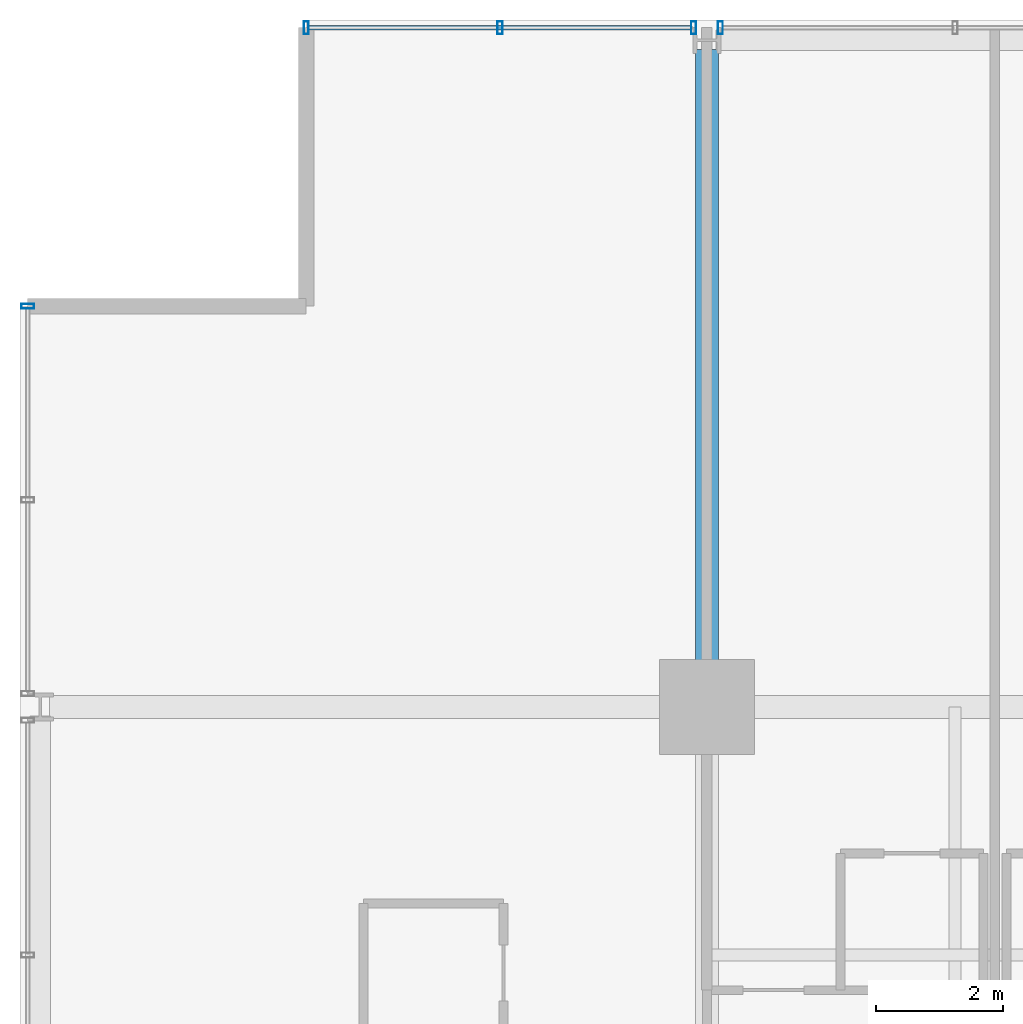
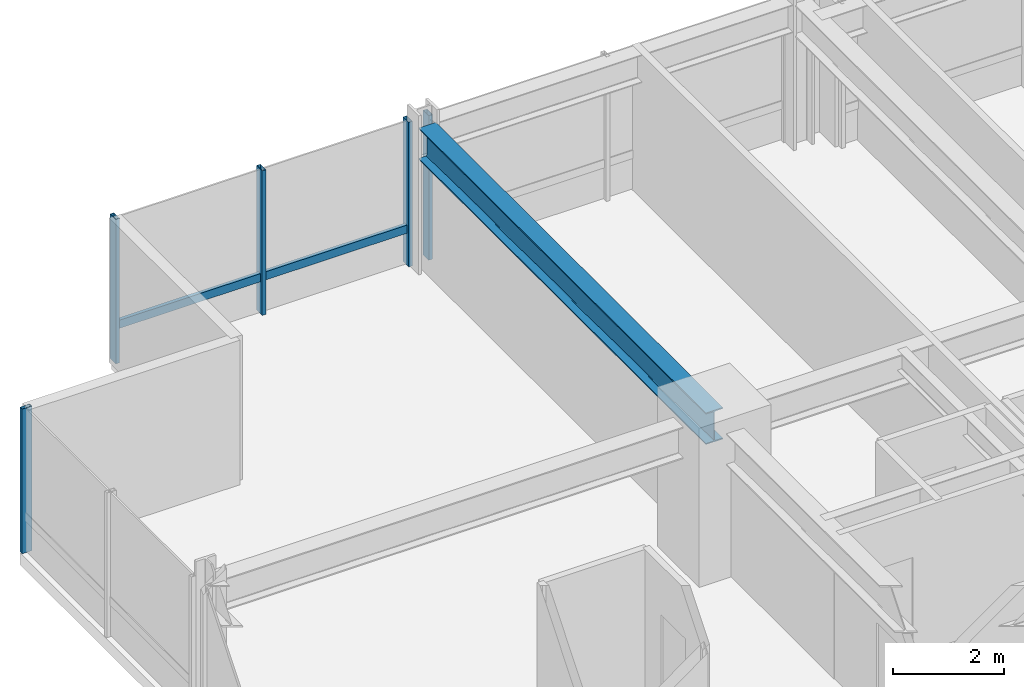
# One storey, part 20 of 35: 6 members, 1 beam, 3 elements without a shape of their own.
"""IFC4 building model written with IfcOpenShell, lengths in metres."""

from ifc_helpers import new_model, si_unit, direction, frame, origin, origin_2d, place, context, subcontext, project, spatial, hollow_rectangle, i_section, extrude, material, layer, layer_set, material_profile, profile_set, type_object, element, aggregate, save


model = new_model("IFC4")

# Units and contexts
model_context = context("Model", 3, precision=1e-05, world=origin(), true_north=direction((0.0, 1.0)))
body_context = subcontext(model_context, "Body", "Model", "MODEL_VIEW")
ifc_project = project(units=[si_unit("LENGTHUNIT", "METRE"), si_unit("AREAUNIT", "SQUARE_METRE"), si_unit("VOLUMEUNIT", "CUBIC_METRE"), si_unit("PLANEANGLEUNIT", "RADIAN"), si_unit("MASSUNIT", "GRAM", prefix="KILO")], contexts=[model_context])

# Site, building, storey
site_placement = place(None, origin())
site = spatial("IfcSite", under=ifc_project, at=site_placement, CompositionType="ELEMENT")
building_placement = place(site_placement, origin())
building = spatial("IfcBuilding", under=site, at=building_placement, Name="Drelvath Grand Hotel", CompositionType="ELEMENT")
storey_placement = place(building_placement, frame((0.0, 0.0, 137.300048828125)))
storey = spatial("IfcBuildingStorey", under=building, at=storey_placement, Name="L35", CompositionType="ELEMENT", Elevation=137.300048828125)

# Curtain wall, member
ifc_material_1 = material(Name="Champagne Bronze Anodised Aluminium Frame", Category="aluminium")
ifc_layer = layer(ifc_material_1, 0.199951171875)
ifc_layer_set = layer_set([ifc_layer], Name="Champagne Bronze Anodised Aluminium Frame")
curtain_wall_type = type_object("IfcCurtainWallType", Name="Stick Curtain Wall CW-03 Champagne Bronze Mid-Rise", PredefinedType="NOTDEFINED", material=ifc_layer_set)
curtain_wall_1_placement = place(storey_placement, origin())
curtain_wall_1 = element("IfcCurtainWall", 1, at=curtain_wall_1_placement, inside=storey, type_object=curtain_wall_type, Name="L35 CW-03 Curtain Wall CW03-L35-NW1", PredefinedType="NOTDEFINED")
ifc_material_profile_1 = material_profile(ifc_material_1, hollow_rectangle(XDim=0.074951171875, YDim=0.179931640625, WallThickness=0.0048828125, at=origin_2d()), Name="HSS180X75X5")
ifc_profile_set_1 = profile_set([ifc_material_profile_1], Name="Champagne Bronze Anodised Aluminium Frame")
member_type_1 = type_object("IfcMemberType", Name="Curtain Wall Horizontal Transom CW-03 HSS180X75X5", PredefinedType="USERDEFINED", material=ifc_profile_set_1)
member_1_placement = place(storey_placement, frame((-22.4599609375, 53.8798828125, 0.794921875), z_axis=(1.0, 0.0, 0.0), x_axis=(0.0, 1.0, 0.0)))
member_1 = element("IfcMember", 2, at=member_1_placement, type_object=member_type_1, Name="CW03-L35-NW1 Sill Transom", ObjectType="TRANSOM", PredefinedType="USERDEFINED", context=body_context, shape_type="SweptSolid", body=[
    extrude(hollow_rectangle(XDim=0.074951171875, YDim=0.179931640625, WallThickness=0.0048828125, at=origin_2d()), origin(), (0.0, 0.0, 1.0), 6.010498046875),
])

curtain_wall_2_placement = place(storey_placement, origin())
curtain_wall_2 = element("IfcCurtainWall", 3, at=curtain_wall_2_placement, inside=storey, type_object=curtain_wall_type, Name="L35 CW-03 Curtain Wall CW03-L35-WN3", PredefinedType="NOTDEFINED")
ifc_material_profile_2 = material_profile(ifc_material_1, hollow_rectangle(XDim=0.080078125, YDim=0.199951171875, WallThickness=0.0048828125, at=origin_2d()), Name="HSS200X80X5")
ifc_profile_set_2 = profile_set([ifc_material_profile_2], Name="Champagne Bronze Anodised Aluminium Frame")
member_type_2 = type_object("IfcMemberType", Name="Curtain Wall Vertical Mullion CW-03 HSS200X80X5", PredefinedType="MULLION", material=ifc_profile_set_2)
member_2_placement = place(storey_placement, frame((-26.8798828125, 49.5, 0.0), z_axis=(0.0, 0.0, 1.0), x_axis=(0.0, 1.0, 0.0)))
member_2 = element("IfcMember", 4, at=member_2_placement, type_object=member_type_2, Name="CW03-L35-WN3 Mullion 3", PredefinedType="MULLION", context=body_context, shape_type="SweptSolid", body=[
    extrude(hollow_rectangle(XDim=0.080078125, YDim=0.199951171875, WallThickness=0.0048828125, at=origin_2d()), origin(), (0.0, 0.0, 1.0), 3.179931640625),
])
aggregate(curtain_wall_2, [member_2])

# Member
member_3_placement = place(storey_placement, frame((-22.5, 53.8798828125, 0.0), z_axis=(0.0, 0.0, 1.0), x_axis=(1.0, 0.0, 0.0)))
member_3 = element("IfcMember", 5, at=member_3_placement, type_object=member_type_2, Name="CW03-L35-NW1 Mullion 1", PredefinedType="MULLION", context=body_context, shape_type="SweptSolid", body=[
    extrude(hollow_rectangle(XDim=0.080078125, YDim=0.199951171875, WallThickness=0.0048828125, at=origin_2d()), origin(), (0.0, 0.0, 1.0), 3.179931640625),
])

member_4_placement = place(storey_placement, frame((-19.45458984375, 53.8798828125, 0.0), z_axis=(0.0, 0.0, 1.0), x_axis=(1.0, 0.0, 0.0)))
member_4 = element("IfcMember", 6, at=member_4_placement, type_object=member_type_2, Name="CW03-L35-NW1 Mullion 2", PredefinedType="MULLION", context=body_context, shape_type="SweptSolid", body=[
    extrude(hollow_rectangle(XDim=0.080078125, YDim=0.199951171875, WallThickness=0.0048828125, at=origin_2d()), origin(), (0.0, 0.0, 1.0), 3.179931640625),
])

member_5_placement = place(storey_placement, frame((-16.409423828125, 53.8798828125, 0.0), z_axis=(0.0, 0.0, 1.0), x_axis=(1.0, 0.0, 0.0)))
member_5 = element("IfcMember", 7, at=member_5_placement, type_object=member_type_2, Name="CW03-L35-NW1 Mullion 3", PredefinedType="MULLION", context=body_context, shape_type="SweptSolid", body=[
    extrude(hollow_rectangle(XDim=0.080078125, YDim=0.199951171875, WallThickness=0.0048828125, at=origin_2d()), origin(), (0.0, 0.0, 1.0), 3.179931640625),
])

aggregate(curtain_wall_1, [member_3, member_4, member_5, member_1])

# Curtain wall, member
curtain_wall_3_placement = place(storey_placement, origin())
curtain_wall_3 = element("IfcCurtainWall", 8, at=curtain_wall_3_placement, inside=storey, type_object=curtain_wall_type, Name="L35 CW-03 Curtain Wall CW03-L35-NW2", PredefinedType="NOTDEFINED")
member_6_placement = place(storey_placement, frame((-15.990478515625, 53.8798828125, 0.0), z_axis=(0.0, 0.0, 1.0), x_axis=(1.0, 0.0, 0.0)))
member_6 = element("IfcMember", 9, at=member_6_placement, type_object=member_type_2, Name="CW03-L35-NW2 Mullion 1", PredefinedType="MULLION", context=body_context, shape_type="SweptSolid", body=[
    extrude(hollow_rectangle(XDim=0.080078125, YDim=0.199951171875, WallThickness=0.0048828125, at=origin_2d()), origin(), (0.0, 0.0, 1.0), 3.179931640625),
])
aggregate(curtain_wall_3, [member_6])

# Beam
ifc_material_2 = material(Name="Steel ASTM A992 Gr 50", Category="steel")
ifc_material_profile_3 = material_profile(ifc_material_2, i_section(OverallWidth=0.354736328125, OverallDepth=0.695556640625, WebThickness=0.015380859375, FlangeThickness=0.025146484375, FilletRadius=0.02392578125, at=origin_2d()), Name="W27X146")
ifc_profile_set_3 = profile_set([ifc_material_profile_3], Name="Steel ASTM A992 Gr 50")
beam_type = type_object("IfcBeamType", Name="Primary Floor Girder W27X146", PredefinedType="BEAM", material=ifc_profile_set_3)
beam_placement = place(storey_placement, frame((-16.199951171875, 43.199951171875, 2.83203125), z_axis=(0.0, 1.0, 0.0), x_axis=(-1.0, 0.0, 0.0)))
element("IfcBeam", 10, at=beam_placement, inside=storey, type_object=beam_type, Name="L35 North Grid Girder 3", PredefinedType="BEAM", context=body_context, shape_type="SweptSolid", body=[
    extrude(i_section(OverallWidth=0.354736328125, OverallDepth=0.695556640625, WebThickness=0.015380859375, FlangeThickness=0.025146484375, FilletRadius=0.02392578125, at=origin_2d()), origin(), (0.0, 0.0, 1.0), 10.340087890625),
])

save(model, "model.ifc")
